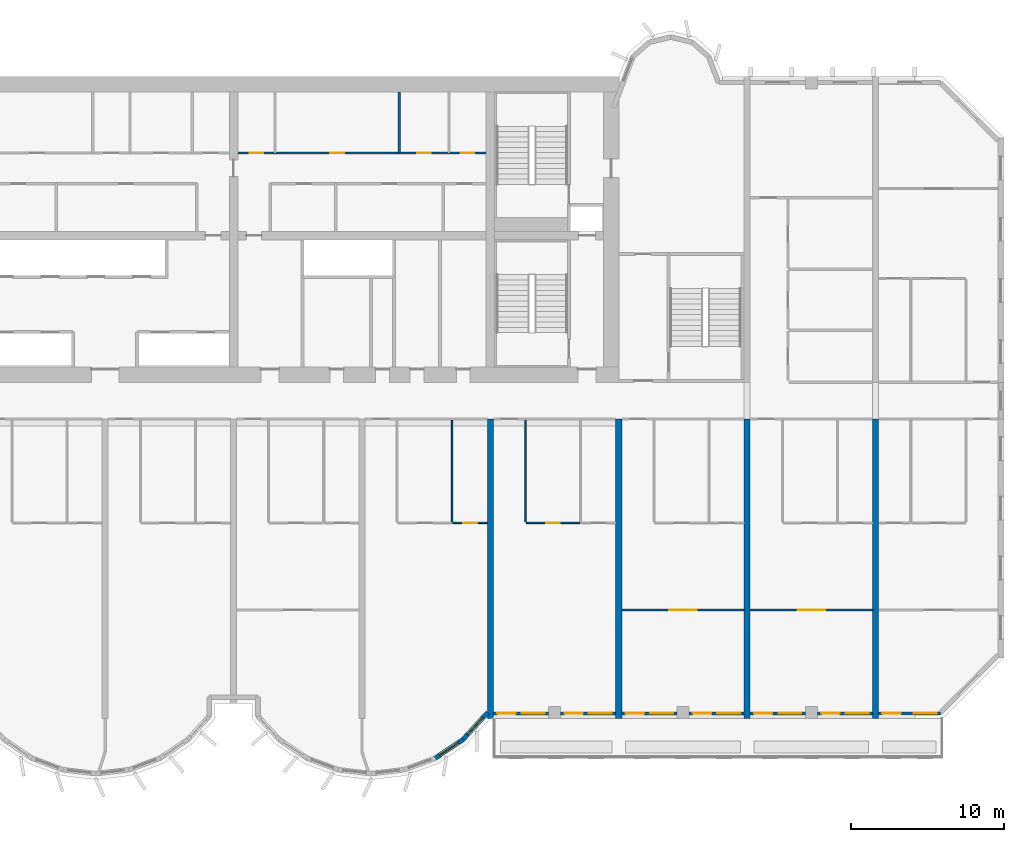
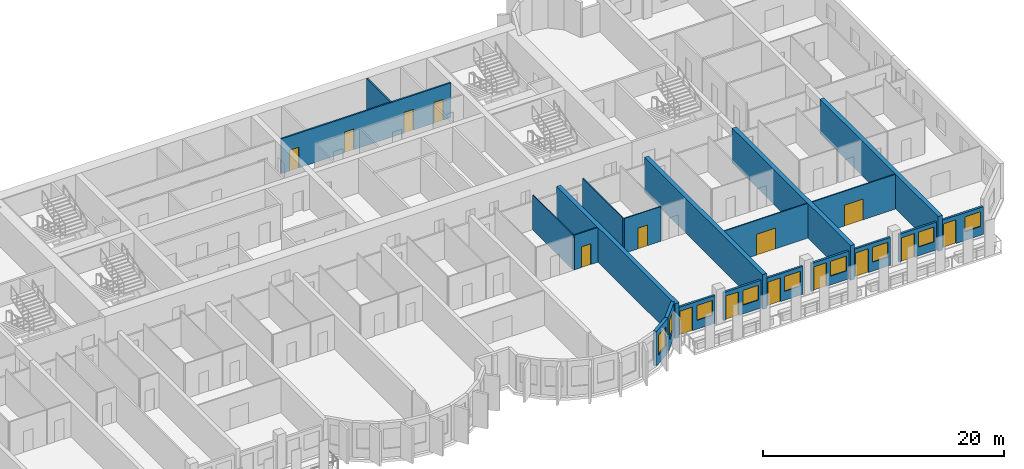
# One storey, part 8 of 15: 21 walls, 15 doors, 9 windows, 24 openings.
"""IFC4 building model written with IfcOpenShell, lengths in metres."""

from ifc_helpers import new_model, si_unit, direction, frame, frame_2d, origin, place, context, subcontext, project, spatial, rectangle, extrude, source, transform, mapped, material, layer, layer_set, type_object, element, fill, save


model = new_model("IFC4")

# Units and contexts
model_context = context("Model", 3, precision=1e-05, world=origin(), true_north=direction((0.0, 1.0)))
body_context = subcontext(model_context, "Body", "Model", "MODEL_VIEW")
ifc_project = project(units=[si_unit("LENGTHUNIT", "METRE"), si_unit("AREAUNIT", "SQUARE_METRE"), si_unit("VOLUMEUNIT", "CUBIC_METRE"), si_unit("PLANEANGLEUNIT", "RADIAN"), si_unit("MASSUNIT", "GRAM", prefix="KILO")], contexts=[model_context])

# Site, building, storey
site_placement = place(None, origin())
site = spatial("IfcSite", under=ifc_project, at=site_placement, CompositionType="ELEMENT")
building_placement = place(site_placement, origin())
building = spatial("IfcBuilding", under=site, at=building_placement, Name="Vanashikhar Sky Hotel", CompositionType="ELEMENT")
storey_placement = place(building_placement, frame((0.0, 0.0, 65.800048828125)))
storey = spatial("IfcBuildingStorey", under=building, at=storey_placement, Name="L15", CompositionType="ELEMENT", Elevation=65.800048828125)

# Walls
ifc_material_1 = material(Name="Concrete M80", Category="concrete")
ifc_layer_1 = layer(ifc_material_1, 0.39990234375)
ifc_layer_set_1 = layer_set([ifc_layer_1], Name="RC shear wall 400 Concrete M80")
wall_type_1 = type_object("IfcWallType", Name="RC shear wall 400 Concrete M80", PredefinedType="SHEAR", material=ifc_layer_set_1)
shared_shape_1 = source(origin(), body_context, "Body", "SweptSolid", [
    extrude(rectangle(XDim=19.60009765625, YDim=0.39990234375, at=frame_2d((9.800048828125, 0.0))), origin(), (0.0, 0.0, 1.0), 3.52001953125),
])
for number, where, z_axis, x_axis, name in (
    (1, (67.199951171875, 0.0, 0.0), (0.0, 0.0, 1.0), (0.0, 1.0, 0.0), "CW-L15-XW09-1"),
    (2, (75.60009765625, 0.0, 0.0), (0.0, 0.0, 1.0), (0.0, 1.0, 0.0), "CW-L15-XW10-1"),
    (3, (84.0, 0.0, 0.0), (0.0, 0.0, 1.0), (0.0, 1.0, 0.0), "CW-L15-XW11-1"),
    (4, (92.39990234375, 0.0, 0.0), (0.0, 0.0, 1.0), (0.0, 1.0, 0.0), "CW-L15-XW12-1"),
):
    element("IfcWall", number, at=place(storey_placement, frame(where, z_axis=z_axis, x_axis=x_axis)), inside=storey, type_object=wall_type_1, Name=name, PredefinedType="SHEAR", context=body_context, shape_type="MappedRepresentation", body=[
        mapped(shared_shape_1, transform((0.0, 0.0, 0.0), scale=1.0)),
    ])

# Wall, opening, window
ifc_material_2 = material(Name="Concrete M50", Category="concrete")
ifc_layer_2 = layer(ifc_material_2, 0.300048828125)
ifc_layer_set_2 = layer_set([ifc_layer_2], Name="Lobe wall 300")
wall_type_2 = type_object("IfcWallType", Name="Lobe wall 300", PredefinedType="SOLIDWALL", material=ifc_layer_set_2)
shared_shape_2 = source(origin(), body_context, "Body", "SweptSolid", [
    extrude(rectangle(XDim=2.398193359375, YDim=0.300048828125, at=frame_2d((1.19921875, 0.0))), origin(), (0.0, 0.0, 1.0), 3.52001953125),
])
wall_1_placement = place(storey_placement, frame((65.404296875, -1.36865234375, 0.0), z_axis=(0.0, 0.0, 1.0), x_axis=(0.675374189419, 0.737475222815, 0.0)))
wall_1 = element("IfcWall", 5, at=wall_1_placement, inside=storey, type_object=wall_type_2, Name="Lobe wall", PredefinedType="SOLIDWALL", context=body_context, shape_type="MappedRepresentation", body=[
    mapped(shared_shape_2, transform((0.0, 0.0, 0.0), scale=1.0)),
])
shared_shape_3 = source(origin(), body_context, "Body", "SweptSolid", [
    extrude(rectangle(XDim=1.5, YDim=2.0, at=frame_2d((0.75, 1.0))), frame((0.0, 0.16015625, 0.0), z_axis=(0.0, -1.0, 0.0), x_axis=(1.0, 0.0, 0.0)), (0.0, 0.0, 1.0), 0.320068359375),
])
opening_1_placement = place(wall_1_placement, frame((0.44921875, 0.0, 0.89990234375)))
opening_1 = element("IfcOpeningElement", 6, at=opening_1_placement, cuts=wall_1, Name="Opening WN-2", PredefinedType="OPENING", context=body_context, shape_type="MappedRepresentation", body=[
    mapped(shared_shape_3, transform((0.0, 0.0, 0.0), scale=1.0)),
])
ifc_material_3 = material(Name="Glass", Category="glass")
window_type_1 = type_object("IfcWindowType", Name="Lobe window 1500 x 2000", PartitioningType="SINGLE_PANEL", PredefinedType="WINDOW", material=ifc_material_3)
shared_shape_4 = source(origin(), body_context, "Body", "SweptSolid", [
    extrude(rectangle(XDim=1.5, YDim=2.0, at=frame_2d((0.75, 1.0))), frame((0.0, 0.030029296875, 0.0), z_axis=(0.0, -1.0, 0.0), x_axis=(1.0, 0.0, 0.0)), (0.0, 0.0, 1.0), 0.06005859375),
])
window_1_placement = place(opening_1_placement, origin())
window_1 = element("IfcWindow", 7, at=window_1_placement, inside=storey, type_object=window_type_1, Name="Window WN-2", OverallHeight=2.0, OverallWidth=1.5, PartitioningType="SINGLE_PANEL", PredefinedType="WINDOW", context=body_context, shape_type="MappedRepresentation", body=[
    mapped(shared_shape_4, transform((0.0, 0.0, 0.0), scale=1.0)),
])
fill(opening_1, window_1)

shared_shape_5 = source(origin(), body_context, "Body", "SweptSolid", [
    extrude(rectangle(XDim=2.17578125, YDim=0.300048828125, at=frame_2d((1.087890625, 0.0))), origin(), (0.0, 0.0, 1.0), 3.52001953125),
])
wall_2_placement = place(storey_placement, frame((63.59912109375, -2.58349609375, 0.0), z_axis=(0.0, 0.0, 1.0), x_axis=(0.829625727223, 0.558319937607, 0.0)))
wall_2 = element("IfcWall", 8, at=wall_2_placement, inside=storey, type_object=wall_type_2, Name="Lobe wall", PredefinedType="SOLIDWALL", context=body_context, shape_type="MappedRepresentation", body=[
    mapped(shared_shape_5, transform((0.0, 0.0, 0.0), scale=1.0)),
])
opening_2_placement = place(wall_2_placement, frame((0.337890625, 0.0, 0.89990234375)))
opening_2 = element("IfcOpeningElement", 9, at=opening_2_placement, cuts=wall_2, Name="Opening WN-2", PredefinedType="OPENING", context=body_context, shape_type="MappedRepresentation", body=[
    mapped(shared_shape_3, transform((0.0, 0.0, 0.0), scale=1.0)),
])
window_2_placement = place(opening_2_placement, origin())
window_2 = element("IfcWindow", 10, at=window_2_placement, inside=storey, type_object=window_type_1, Name="Window WN-2", OverallHeight=2.0, OverallWidth=1.5, PartitioningType="SINGLE_PANEL", PredefinedType="WINDOW", context=body_context, shape_type="MappedRepresentation", body=[
    mapped(shared_shape_4, transform((0.0, 0.0, 0.0), scale=1.0)),
])
fill(opening_2, window_2)

# Wall, openings, window, door
ifc_layer_3 = layer(ifc_material_2, 0.199951171875)
ifc_layer_set_3 = layer_set([ifc_layer_3], Name="Front window wall 200")
wall_type_3 = type_object("IfcWallType", Name="Front window wall 200", PredefinedType="SOLIDWALL", material=ifc_layer_set_3)
shared_shape_6 = source(origin(), body_context, "Body", "SweptSolid", [
    extrude(rectangle(XDim=4.054931640625, YDim=0.199951171875, at=frame_2d((2.02734375, 0.0))), origin(), (0.0, 0.0, 1.0), 2.820068359375),
])
wall_3_placement = place(storey_placement, frame((92.60009765625, 0.35009765625, 0.0), z_axis=(0.0, 0.0, 1.0), x_axis=(1.0, 0.0, 0.0)))
wall_3 = element("IfcWall", 11, at=wall_3_placement, inside=storey, type_object=wall_type_3, Name="Front window wall", PredefinedType="SOLIDWALL", context=body_context, shape_type="MappedRepresentation", body=[
    mapped(shared_shape_6, transform((0.0, 0.0, 0.0), scale=1.0)),
])
shared_shape_7 = source(origin(), body_context, "Body", "SweptSolid", [
    extrude(rectangle(XDim=1.199951171875, YDim=2.39990234375, at=frame_2d((0.60009765625, 1.199951171875))), frame((0.0, 0.10986328125, 0.0), z_axis=(0.0, -1.0, 0.0), x_axis=(1.0, 0.0, 0.0)), (0.0, 0.0, 1.0), 0.219970703125),
])
opening_3_placement = place(wall_3_placement, frame((0.25, 0.0, 0.0)))
opening_3 = element("IfcOpeningElement", 12, at=opening_3_placement, cuts=wall_3, Name="Opening BD-14", PredefinedType="OPENING", context=body_context, shape_type="MappedRepresentation", body=[
    mapped(shared_shape_7, transform((0.0, 0.0, 0.0), scale=1.0)),
])
shared_shape_8 = source(origin(), body_context, "Body", "SweptSolid", [
    extrude(rectangle(XDim=1.5, YDim=1.5, at=frame_2d((0.75, 0.75))), frame((0.0, 0.10986328125, 0.0), z_axis=(0.0, -1.0, 0.0), x_axis=(1.0, 0.0, 0.0)), (0.0, 0.0, 1.0), 0.219970703125),
])
opening_4_placement = place(wall_3_placement, frame((2.304931640625, 0.0, 0.89990234375)))
opening_4 = element("IfcOpeningElement", 13, at=opening_4_placement, cuts=wall_3, Name="Opening WN-1", PredefinedType="OPENING", context=body_context, shape_type="MappedRepresentation", body=[
    mapped(shared_shape_8, transform((0.0, 0.0, 0.0), scale=1.0)),
])
window_type_2 = type_object("IfcWindowType", Name="Window 1500 x 1500", PartitioningType="SINGLE_PANEL", PredefinedType="WINDOW", material=ifc_material_3)
shared_shape_9 = source(origin(), body_context, "Body", "SweptSolid", [
    extrude(rectangle(XDim=1.5, YDim=1.5, at=frame_2d((0.75, 0.75))), frame((0.0, 0.030029296875, 0.0), z_axis=(0.0, -1.0, 0.0), x_axis=(1.0, 0.0, 0.0)), (0.0, 0.0, 1.0), 0.06005859375),
])
window_3_placement = place(opening_4_placement, origin())
window_3 = element("IfcWindow", 14, at=window_3_placement, inside=storey, type_object=window_type_2, Name="Window WN-1", OverallHeight=1.5, OverallWidth=1.5, PartitioningType="SINGLE_PANEL", PredefinedType="WINDOW", context=body_context, shape_type="MappedRepresentation", body=[
    mapped(shared_shape_9, transform((0.0, 0.0, 0.0), scale=1.0)),
])
fill(opening_4, window_3)
ifc_material_4 = material(Name="Aluminium", Category="aluminium")
door_type_1 = type_object("IfcDoorType", Name="Balcony sliding door 1200 x 2400", OperationType="NOTDEFINED", PredefinedType="DOOR", material=ifc_material_4)
shared_shape_10 = source(origin(), body_context, "Body", "SweptSolid", [
    extrude(rectangle(XDim=1.199951171875, YDim=2.39990234375, at=frame_2d((0.60009765625, 1.199951171875))), frame((0.0, 0.02490234375, 0.0), z_axis=(0.0, -1.0, 0.0), x_axis=(1.0, 0.0, 0.0)), (0.0, 0.0, 1.0), 0.050048828125),
])
door_1_placement = place(opening_3_placement, origin())
door_1 = element("IfcDoor", 15, at=door_1_placement, inside=storey, type_object=door_type_1, Name="Balcony sliding door", OperationType="SLIDING_TO_RIGHT", OverallHeight=2.39990234375, OverallWidth=1.199951171875, PredefinedType="DOOR", context=body_context, shape_type="MappedRepresentation", body=[
    mapped(shared_shape_10, transform((0.0, 0.0, 0.0), scale=1.0)),
])
fill(opening_3, door_1)

shared_shape_11 = source(origin(), body_context, "Body", "SweptSolid", [
    extrude(rectangle(XDim=3.599853515625, YDim=0.199951171875, at=frame_2d((1.7998046875, 0.0))), origin(), (0.0, 0.0, 1.0), 2.820068359375),
])
wall_4_placement = place(storey_placement, frame((71.800048828125, 0.35009765625, 0.0), z_axis=(0.0, 0.0, 1.0), x_axis=(1.0, 0.0, 0.0)))
wall_4 = element("IfcWall", 16, at=wall_4_placement, inside=storey, type_object=wall_type_3, Name="Front window wall", PredefinedType="SOLIDWALL", context=body_context, shape_type="MappedRepresentation", body=[
    mapped(shared_shape_11, transform((0.0, 0.0, 0.0), scale=1.0)),
])
opening_5_placement = place(wall_4_placement, frame((0.25, 0.0, 0.0)))
opening_5 = element("IfcOpeningElement", 17, at=opening_5_placement, cuts=wall_4, Name="Opening BD-09", PredefinedType="OPENING", context=body_context, shape_type="MappedRepresentation", body=[
    mapped(shared_shape_7, transform((0.0, 0.0, 0.0), scale=1.0)),
])
opening_6_placement = place(wall_4_placement, frame((1.85009765625, 0.0, 0.89990234375)))
opening_6 = element("IfcOpeningElement", 18, at=opening_6_placement, cuts=wall_4, Name="Opening WN-1", PredefinedType="OPENING", context=body_context, shape_type="MappedRepresentation", body=[
    mapped(shared_shape_8, transform((0.0, 0.0, 0.0), scale=1.0)),
])
window_4_placement = place(opening_6_placement, origin())
window_4 = element("IfcWindow", 19, at=window_4_placement, inside=storey, type_object=window_type_2, Name="Window WN-1", OverallHeight=1.5, OverallWidth=1.5, PartitioningType="SINGLE_PANEL", PredefinedType="WINDOW", context=body_context, shape_type="MappedRepresentation", body=[
    mapped(shared_shape_9, transform((0.0, 0.0, 0.0), scale=1.0)),
])
fill(opening_6, window_4)
door_2_placement = place(opening_5_placement, origin())
door_2 = element("IfcDoor", 20, at=door_2_placement, inside=storey, type_object=door_type_1, Name="Balcony sliding door", OperationType="SLIDING_TO_LEFT", OverallHeight=2.39990234375, OverallWidth=1.199951171875, PredefinedType="DOOR", context=body_context, shape_type="MappedRepresentation", body=[
    mapped(shared_shape_10, transform((0.0, 0.0, 0.0), scale=1.0)),
])
fill(opening_5, door_2)

wall_5_placement = place(storey_placement, frame((75.800048828125, 0.35009765625, 0.0), z_axis=(0.0, 0.0, 1.0), x_axis=(1.0, 0.0, 0.0)))
wall_5 = element("IfcWall", 21, at=wall_5_placement, inside=storey, type_object=wall_type_3, Name="Front window wall", PredefinedType="SOLIDWALL", context=body_context, shape_type="MappedRepresentation", body=[
    mapped(shared_shape_11, transform((0.0, 0.0, 0.0), scale=1.0)),
])
opening_7_placement = place(wall_5_placement, frame((0.25, 0.0, 0.0)))
opening_7 = element("IfcOpeningElement", 22, at=opening_7_placement, cuts=wall_5, Name="Opening BD-10", PredefinedType="OPENING", context=body_context, shape_type="MappedRepresentation", body=[
    mapped(shared_shape_7, transform((0.0, 0.0, 0.0), scale=1.0)),
])
opening_8_placement = place(wall_5_placement, frame((1.85009765625, 0.0, 0.89990234375)))
opening_8 = element("IfcOpeningElement", 23, at=opening_8_placement, cuts=wall_5, Name="Opening WN-1", PredefinedType="OPENING", context=body_context, shape_type="MappedRepresentation", body=[
    mapped(shared_shape_8, transform((0.0, 0.0, 0.0), scale=1.0)),
])
window_5_placement = place(opening_8_placement, origin())
window_5 = element("IfcWindow", 24, at=window_5_placement, inside=storey, type_object=window_type_2, Name="Window WN-1", OverallHeight=1.5, OverallWidth=1.5, PartitioningType="SINGLE_PANEL", PredefinedType="WINDOW", context=body_context, shape_type="MappedRepresentation", body=[
    mapped(shared_shape_9, transform((0.0, 0.0, 0.0), scale=1.0)),
])
fill(opening_8, window_5)
door_3_placement = place(opening_7_placement, origin())
door_3 = element("IfcDoor", 25, at=door_3_placement, inside=storey, type_object=door_type_1, Name="Balcony sliding door", OperationType="SLIDING_TO_RIGHT", OverallHeight=2.39990234375, OverallWidth=1.199951171875, PredefinedType="DOOR", context=body_context, shape_type="MappedRepresentation", body=[
    mapped(shared_shape_10, transform((0.0, 0.0, 0.0), scale=1.0)),
])
fill(opening_7, door_3)

wall_6_placement = place(storey_placement, frame((88.60009765625, 0.35009765625, 0.0), z_axis=(0.0, 0.0, 1.0), x_axis=(1.0, 0.0, 0.0)))
wall_6 = element("IfcWall", 26, at=wall_6_placement, inside=storey, type_object=wall_type_3, Name="Front window wall", PredefinedType="SOLIDWALL", context=body_context, shape_type="MappedRepresentation", body=[
    mapped(shared_shape_11, transform((0.0, 0.0, 0.0), scale=1.0)),
])
opening_9_placement = place(wall_6_placement, frame((0.25, 0.0, 0.0)))
opening_9 = element("IfcOpeningElement", 27, at=opening_9_placement, cuts=wall_6, Name="Opening BD-13", PredefinedType="OPENING", context=body_context, shape_type="MappedRepresentation", body=[
    mapped(shared_shape_7, transform((0.0, 0.0, 0.0), scale=1.0)),
])
opening_10_placement = place(wall_6_placement, frame((1.85009765625, 0.0, 0.89990234375)))
opening_10 = element("IfcOpeningElement", 28, at=opening_10_placement, cuts=wall_6, Name="Opening WN-1", PredefinedType="OPENING", context=body_context, shape_type="MappedRepresentation", body=[
    mapped(shared_shape_8, transform((0.0, 0.0, 0.0), scale=1.0)),
])
window_6_placement = place(opening_10_placement, origin())
window_6 = element("IfcWindow", 29, at=window_6_placement, inside=storey, type_object=window_type_2, Name="Window WN-1", OverallHeight=1.5, OverallWidth=1.5, PartitioningType="SINGLE_PANEL", PredefinedType="WINDOW", context=body_context, shape_type="MappedRepresentation", body=[
    mapped(shared_shape_9, transform((0.0, 0.0, 0.0), scale=1.0)),
])
fill(opening_10, window_6)
door_4_placement = place(opening_9_placement, origin())
door_4 = element("IfcDoor", 30, at=door_4_placement, inside=storey, type_object=door_type_1, Name="Balcony sliding door", OperationType="SLIDING_TO_LEFT", OverallHeight=2.39990234375, OverallWidth=1.199951171875, PredefinedType="DOOR", context=body_context, shape_type="MappedRepresentation", body=[
    mapped(shared_shape_10, transform((0.0, 0.0, 0.0), scale=1.0)),
])
fill(opening_9, door_4)

shared_shape_12 = source(origin(), body_context, "Body", "SweptSolid", [
    extrude(rectangle(XDim=3.60009765625, YDim=0.199951171875, at=frame_2d((1.800048828125, 0.0))), origin(), (0.0, 0.0, 1.0), 2.820068359375),
])
wall_7_placement = place(storey_placement, frame((67.39990234375, 0.35009765625, 0.0), z_axis=(0.0, 0.0, 1.0), x_axis=(1.0, 0.0, 0.0)))
wall_7 = element("IfcWall", 31, at=wall_7_placement, inside=storey, type_object=wall_type_3, Name="Front window wall", PredefinedType="SOLIDWALL", context=body_context, shape_type="MappedRepresentation", body=[
    mapped(shared_shape_12, transform((0.0, 0.0, 0.0), scale=1.0)),
])
opening_11_placement = place(wall_7_placement, frame((0.25, 0.0, 0.0)))
opening_11 = element("IfcOpeningElement", 32, at=opening_11_placement, cuts=wall_7, Name="Opening BD-08", PredefinedType="OPENING", context=body_context, shape_type="MappedRepresentation", body=[
    mapped(shared_shape_7, transform((0.0, 0.0, 0.0), scale=1.0)),
])
opening_12_placement = place(wall_7_placement, frame((1.85009765625, 0.0, 0.89990234375)))
opening_12 = element("IfcOpeningElement", 33, at=opening_12_placement, cuts=wall_7, Name="Opening WN-1", PredefinedType="OPENING", context=body_context, shape_type="MappedRepresentation", body=[
    mapped(shared_shape_8, transform((0.0, 0.0, 0.0), scale=1.0)),
])
window_7_placement = place(opening_12_placement, origin())
window_7 = element("IfcWindow", 34, at=window_7_placement, inside=storey, type_object=window_type_2, Name="Window WN-1", OverallHeight=1.5, OverallWidth=1.5, PartitioningType="SINGLE_PANEL", PredefinedType="WINDOW", context=body_context, shape_type="MappedRepresentation", body=[
    mapped(shared_shape_9, transform((0.0, 0.0, 0.0), scale=1.0)),
])
fill(opening_12, window_7)
door_5_placement = place(opening_11_placement, origin())
door_5 = element("IfcDoor", 35, at=door_5_placement, inside=storey, type_object=door_type_1, Name="Balcony sliding door", OperationType="SLIDING_TO_RIGHT", OverallHeight=2.39990234375, OverallWidth=1.199951171875, PredefinedType="DOOR", context=body_context, shape_type="MappedRepresentation", body=[
    mapped(shared_shape_10, transform((0.0, 0.0, 0.0), scale=1.0)),
])
fill(opening_11, door_5)

wall_8_placement = place(storey_placement, frame((80.199951171875, 0.35009765625, 0.0), z_axis=(0.0, 0.0, 1.0), x_axis=(1.0, 0.0, 0.0)))
wall_8 = element("IfcWall", 36, at=wall_8_placement, inside=storey, type_object=wall_type_3, Name="Front window wall", PredefinedType="SOLIDWALL", context=body_context, shape_type="MappedRepresentation", body=[
    mapped(shared_shape_12, transform((0.0, 0.0, 0.0), scale=1.0)),
])
opening_13_placement = place(wall_8_placement, frame((0.25, 0.0, 0.0)))
opening_13 = element("IfcOpeningElement", 37, at=opening_13_placement, cuts=wall_8, Name="Opening BD-11", PredefinedType="OPENING", context=body_context, shape_type="MappedRepresentation", body=[
    mapped(shared_shape_7, transform((0.0, 0.0, 0.0), scale=1.0)),
])
opening_14_placement = place(wall_8_placement, frame((1.85009765625, 0.0, 0.89990234375)))
opening_14 = element("IfcOpeningElement", 38, at=opening_14_placement, cuts=wall_8, Name="Opening WN-1", PredefinedType="OPENING", context=body_context, shape_type="MappedRepresentation", body=[
    mapped(shared_shape_8, transform((0.0, 0.0, 0.0), scale=1.0)),
])
window_8_placement = place(opening_14_placement, origin())
window_8 = element("IfcWindow", 39, at=window_8_placement, inside=storey, type_object=window_type_2, Name="Window WN-1", OverallHeight=1.5, OverallWidth=1.5, PartitioningType="SINGLE_PANEL", PredefinedType="WINDOW", context=body_context, shape_type="MappedRepresentation", body=[
    mapped(shared_shape_9, transform((0.0, 0.0, 0.0), scale=1.0)),
])
fill(opening_14, window_8)
door_6_placement = place(opening_13_placement, origin())
door_6 = element("IfcDoor", 40, at=door_6_placement, inside=storey, type_object=door_type_1, Name="Balcony sliding door", OperationType="SLIDING_TO_LEFT", OverallHeight=2.39990234375, OverallWidth=1.199951171875, PredefinedType="DOOR", context=body_context, shape_type="MappedRepresentation", body=[
    mapped(shared_shape_10, transform((0.0, 0.0, 0.0), scale=1.0)),
])
fill(opening_13, door_6)

wall_9_placement = place(storey_placement, frame((84.199951171875, 0.35009765625, 0.0), z_axis=(0.0, 0.0, 1.0), x_axis=(1.0, 0.0, 0.0)))
wall_9 = element("IfcWall", 41, at=wall_9_placement, inside=storey, type_object=wall_type_3, Name="Front window wall", PredefinedType="SOLIDWALL", context=body_context, shape_type="MappedRepresentation", body=[
    mapped(shared_shape_12, transform((0.0, 0.0, 0.0), scale=1.0)),
])
opening_15_placement = place(wall_9_placement, frame((0.25, 0.0, 0.0)))
opening_15 = element("IfcOpeningElement", 42, at=opening_15_placement, cuts=wall_9, Name="Opening BD-12", PredefinedType="OPENING", context=body_context, shape_type="MappedRepresentation", body=[
    mapped(shared_shape_7, transform((0.0, 0.0, 0.0), scale=1.0)),
])
opening_16_placement = place(wall_9_placement, frame((1.85009765625, 0.0, 0.89990234375)))
opening_16 = element("IfcOpeningElement", 43, at=opening_16_placement, cuts=wall_9, Name="Opening WN-1", PredefinedType="OPENING", context=body_context, shape_type="MappedRepresentation", body=[
    mapped(shared_shape_8, transform((0.0, 0.0, 0.0), scale=1.0)),
])
window_9_placement = place(opening_16_placement, origin())
window_9 = element("IfcWindow", 44, at=window_9_placement, inside=storey, type_object=window_type_2, Name="Window WN-1", OverallHeight=1.5, OverallWidth=1.5, PartitioningType="SINGLE_PANEL", PredefinedType="WINDOW", context=body_context, shape_type="MappedRepresentation", body=[
    mapped(shared_shape_9, transform((0.0, 0.0, 0.0), scale=1.0)),
])
fill(opening_16, window_9)
door_7_placement = place(opening_15_placement, origin())
door_7 = element("IfcDoor", 45, at=door_7_placement, inside=storey, type_object=door_type_1, Name="Balcony sliding door", OperationType="SLIDING_TO_RIGHT", OverallHeight=2.39990234375, OverallWidth=1.199951171875, PredefinedType="DOOR", context=body_context, shape_type="MappedRepresentation", body=[
    mapped(shared_shape_10, transform((0.0, 0.0, 0.0), scale=1.0)),
])
fill(opening_15, door_7)

# Wall, openings, doors
ifc_material_5 = material(Name="Gypsum board partition")
ifc_layer_4 = layer(ifc_material_5, 0.14990234375)
ifc_layer_set_4 = layer_set([ifc_layer_4], Name="Service partition 150")
wall_type_4 = type_object("IfcWallType", Name="Service partition 150", PredefinedType="PARTITIONING", material=ifc_layer_set_4)
shared_shape_13 = source(origin(), body_context, "Body", "SweptSolid", [
    extrude(rectangle(XDim=16.25, YDim=0.14990234375, at=frame_2d((8.125, 0.0))), origin(), (0.0, 0.0, 1.0), 3.52001953125),
])
wall_10_placement = place(storey_placement, frame((66.925048828125, 37.0, 0.0), z_axis=(0.0, 0.0, 1.0), x_axis=(-1.0, 0.0, 0.0)))
wall_10 = element("IfcWall", 46, at=wall_10_placement, inside=storey, type_object=wall_type_4, Name="Service partition 150", PredefinedType="PARTITIONING", context=body_context, shape_type="MappedRepresentation", body=[
    mapped(shared_shape_13, transform((0.0, 0.0, 0.0), scale=1.0)),
])
shared_shape_14 = source(origin(), body_context, "Body", "SweptSolid", [
    extrude(rectangle(XDim=0.89990234375, YDim=2.10009765625, at=frame_2d((0.449951171875, 1.050048828125))), frame((0.0, 0.0849609375, 0.0), z_axis=(0.0, -1.0, 0.0), x_axis=(1.0, 0.0, 0.0)), (0.0, 0.0, 1.0), 0.169921875),
])
opening_17_placement = place(wall_10_placement, frame((0.76904296875, 0.0, 0.0)))
opening_17 = element("IfcOpeningElement", 47, at=opening_17_placement, cuts=wall_10, Name="Opening DC-4-A", PredefinedType="OPENING", context=body_context, shape_type="MappedRepresentation", body=[
    mapped(shared_shape_14, transform((0.0, 0.0, 0.0), scale=1.0)),
])
opening_18_placement = place(wall_10_placement, frame((3.613037109375, 0.0, 0.0)))
opening_18 = element("IfcOpeningElement", 48, at=opening_18_placement, cuts=wall_10, Name="Opening DC-4-A", PredefinedType="OPENING", context=body_context, shape_type="MappedRepresentation", body=[
    mapped(shared_shape_14, transform((0.0, 0.0, 0.0), scale=1.0)),
])
opening_19_placement = place(wall_10_placement, frame((9.300048828125, 0.0, 0.0)))
opening_19 = element("IfcOpeningElement", 49, at=opening_19_placement, cuts=wall_10, Name="Opening DC-4-A", PredefinedType="OPENING", context=body_context, shape_type="MappedRepresentation", body=[
    mapped(shared_shape_14, transform((0.0, 0.0, 0.0), scale=1.0)),
])
opening_20_placement = place(wall_10_placement, frame((14.5810546875, 0.0, 0.0)))
opening_20 = element("IfcOpeningElement", 50, at=opening_20_placement, cuts=wall_10, Name="Opening DC-4-A", PredefinedType="OPENING", context=body_context, shape_type="MappedRepresentation", body=[
    mapped(shared_shape_14, transform((0.0, 0.0, 0.0), scale=1.0)),
])
ifc_material_6 = material(Name="Steel", Category="steel")
door_type_2 = type_object("IfcDoorType", Name="Service door 900 FD60", OperationType="NOTDEFINED", PredefinedType="DOOR", material=ifc_material_6)
shared_shape_15 = source(origin(), body_context, "Body", "SweptSolid", [
    extrude(rectangle(XDim=0.89990234375, YDim=2.10009765625, at=frame_2d((0.449951171875, 1.050048828125))), frame((0.0, 0.02490234375, 0.0), z_axis=(0.0, -1.0, 0.0), x_axis=(1.0, 0.0, 0.0)), (0.0, 0.0, 1.0), 0.050048828125),
])
door_8_placement = place(opening_17_placement, origin())
door_8 = element("IfcDoor", 51, at=door_8_placement, inside=storey, type_object=door_type_2, Name="Service door 900 FD60", OperationType="SINGLE_SWING_LEFT", OverallHeight=2.10009765625, OverallWidth=0.89990234375, PredefinedType="DOOR", context=body_context, shape_type="MappedRepresentation", body=[
    mapped(shared_shape_15, transform((0.0, 0.0, 0.0), scale=1.0)),
])
fill(opening_17, door_8)
door_9_placement = place(opening_18_placement, origin())
door_9 = element("IfcDoor", 52, at=door_9_placement, inside=storey, type_object=door_type_2, Name="Service door 900 FD60", OperationType="SINGLE_SWING_RIGHT", OverallHeight=2.10009765625, OverallWidth=0.89990234375, PredefinedType="DOOR", context=body_context, shape_type="MappedRepresentation", body=[
    mapped(shared_shape_15, transform((0.0, 0.0, 0.0), scale=1.0)),
])
fill(opening_18, door_9)
door_10_placement = place(opening_19_placement, origin())
door_10 = element("IfcDoor", 53, at=door_10_placement, inside=storey, type_object=door_type_2, Name="Service door 900 FD60", OperationType="SINGLE_SWING_RIGHT", OverallHeight=2.10009765625, OverallWidth=0.89990234375, PredefinedType="DOOR", context=body_context, shape_type="MappedRepresentation", body=[
    mapped(shared_shape_15, transform((0.0, 0.0, 0.0), scale=1.0)),
])
fill(opening_19, door_10)
door_11_placement = place(opening_20_placement, origin())
door_11 = element("IfcDoor", 54, at=door_11_placement, inside=storey, type_object=door_type_2, Name="Service door 900 FD60", OperationType="SINGLE_SWING_RIGHT", OverallHeight=2.10009765625, OverallWidth=0.89990234375, PredefinedType="DOOR", context=body_context, shape_type="MappedRepresentation", body=[
    mapped(shared_shape_15, transform((0.0, 0.0, 0.0), scale=1.0)),
])
fill(opening_20, door_11)

# Wall
shared_shape_16 = source(origin(), body_context, "Body", "SweptSolid", [
    extrude(rectangle(XDim=4.0, YDim=0.14990234375, at=frame_2d((2.0, 0.0))), origin(), (0.0, 0.0, 1.0), 3.52001953125),
])
wall_11_placement = place(storey_placement, frame((61.237060546875, 37.0, 0.0), z_axis=(0.0, 0.0, 1.0), x_axis=(0.0, 1.0, 0.0)))
element("IfcWall", 55, at=wall_11_placement, inside=storey, type_object=wall_type_4, Name="Service partition 150", PredefinedType="PARTITIONING", context=body_context, shape_type="MappedRepresentation", body=[
    mapped(shared_shape_16, transform((0.0, 0.0, 0.0), scale=1.0)),
])

# Wall, opening, door
ifc_material_7 = material(Name="Gypsum plasterboard partition")
ifc_layer_5 = layer(ifc_material_7, 0.10009765625)
ifc_layer_set_5 = layer_set([ifc_layer_5], Name="Wet room partition 100")
wall_type_5 = type_object("IfcWallType", Name="Wet room partition 100", PredefinedType="PARTITIONING", material=ifc_layer_set_5)
shared_shape_17 = source(origin(), body_context, "Body", "SweptSolid", [
    extrude(rectangle(XDim=3.5, YDim=0.10009765625, at=frame_2d((1.75, 0.0))), origin(), (0.0, 0.0, 1.0), 3.52001953125),
])
wall_12_placement = place(storey_placement, frame((69.550048828125, 12.800048828125, 0.0), z_axis=(0.0, 0.0, 1.0), x_axis=(1.0, 0.0, 0.0)))
wall_12 = element("IfcWall", 56, at=wall_12_placement, inside=storey, type_object=wall_type_5, Name="W-L15-PW047", PredefinedType="PARTITIONING", context=body_context, shape_type="MappedRepresentation", body=[
    mapped(shared_shape_17, transform((0.0, 0.0, 0.0), scale=1.0)),
])
shared_shape_18 = source(origin(), body_context, "Body", "SweptSolid", [
    extrude(rectangle(XDim=0.89990234375, YDim=2.10009765625, at=frame_2d((0.449951171875, 1.050048828125))), frame((0.0, 0.06005859375, 0.0), z_axis=(0.0, -1.0, 0.0), x_axis=(1.0, 0.0, 0.0)), (0.0, 0.0, 1.0), 0.1201171875),
])
opening_21_placement = place(wall_12_placement, frame((1.300048828125, 0.0, 0.0)))
opening_21 = element("IfcOpeningElement", 57, at=opening_21_placement, cuts=wall_12, Name="Opening D-02", PredefinedType="OPENING", context=body_context, shape_type="MappedRepresentation", body=[
    mapped(shared_shape_18, transform((0.0, 0.0, 0.0), scale=1.0)),
])
ifc_material_8 = material(Name="Timber door", Category="wood")
door_type_3 = type_object("IfcDoorType", Name="Internal door 900", OperationType="NOTDEFINED", PredefinedType="DOOR", material=ifc_material_8)
door_12_placement = place(opening_21_placement, origin())
door_12 = element("IfcDoor", 58, at=door_12_placement, inside=storey, type_object=door_type_3, Name="D-L15-028", OperationType="SINGLE_SWING_LEFT", OverallHeight=2.10009765625, OverallWidth=0.89990234375, PredefinedType="DOOR", context=body_context, shape_type="MappedRepresentation", body=[
    mapped(shared_shape_15, transform((0.0, 0.0, 0.0), scale=1.0)),
])
fill(opening_21, door_12)

shared_shape_19 = source(origin(), body_context, "Body", "SweptSolid", [
    extrude(rectangle(XDim=8.0, YDim=0.10009765625, at=frame_2d((4.0, 0.0))), origin(), (0.0, 0.0, 1.0), 3.52001953125),
])
wall_13_placement = place(storey_placement, frame((75.800048828125, 7.10791015625, 0.0), z_axis=(0.0, 0.0, 1.0), x_axis=(1.0, 0.0, 0.0)))
wall_13 = element("IfcWall", 59, at=wall_13_placement, inside=storey, type_object=wall_type_5, Name="W-L15-PW054", PredefinedType="PARTITIONING", context=body_context, shape_type="MappedRepresentation", body=[
    mapped(shared_shape_19, transform((0.0, 0.0, 0.0), scale=1.0)),
])
shared_shape_20 = source(origin(), body_context, "Body", "SweptSolid", [
    extrude(rectangle(XDim=1.800048828125, YDim=2.10009765625, at=frame_2d((0.89990234375, 1.050048828125))), frame((0.0, 0.06005859375, 0.0), z_axis=(0.0, -1.0, 0.0), x_axis=(1.0, 0.0, 0.0)), (0.0, 0.0, 1.0), 0.1201171875),
])
opening_22_placement = place(wall_13_placement, frame((3.10009765625, 0.0, 0.0)))
opening_22 = element("IfcOpeningElement", 60, at=opening_22_placement, cuts=wall_13, Name="Opening D-08", PredefinedType="OPENING", context=body_context, shape_type="MappedRepresentation", body=[
    mapped(shared_shape_20, transform((0.0, 0.0, 0.0), scale=1.0)),
])
door_type_4 = type_object("IfcDoorType", Name="Double leaf door 1800", OperationType="NOTDEFINED", PredefinedType="DOOR", material=ifc_material_8)
shared_shape_21 = source(origin(), body_context, "Body", "SweptSolid", [
    extrude(rectangle(XDim=1.800048828125, YDim=2.10009765625, at=frame_2d((0.89990234375, 1.050048828125))), frame((0.0, 0.02490234375, 0.0), z_axis=(0.0, -1.0, 0.0), x_axis=(1.0, 0.0, 0.0)), (0.0, 0.0, 1.0), 0.050048828125),
])
door_13_placement = place(opening_22_placement, origin())
door_13 = element("IfcDoor", 61, at=door_13_placement, inside=storey, type_object=door_type_4, Name="D-L15-033", OperationType="DOUBLE_DOOR_SINGLE_SWING", OverallHeight=2.10009765625, OverallWidth=1.800048828125, PredefinedType="DOOR", context=body_context, shape_type="MappedRepresentation", body=[
    mapped(shared_shape_21, transform((0.0, 0.0, 0.0), scale=1.0)),
])
fill(opening_22, door_13)

wall_14_placement = place(storey_placement, frame((84.199951171875, 7.10791015625, 0.0), z_axis=(0.0, 0.0, 1.0), x_axis=(1.0, 0.0, 0.0)))
wall_14 = element("IfcWall", 62, at=wall_14_placement, inside=storey, type_object=wall_type_5, Name="W-L15-PW060", PredefinedType="PARTITIONING", context=body_context, shape_type="MappedRepresentation", body=[
    mapped(shared_shape_19, transform((0.0, 0.0, 0.0), scale=1.0)),
])
opening_23_placement = place(wall_14_placement, frame((3.10009765625, 0.0, 0.0)))
opening_23 = element("IfcOpeningElement", 63, at=opening_23_placement, cuts=wall_14, Name="Opening D-08", PredefinedType="OPENING", context=body_context, shape_type="MappedRepresentation", body=[
    mapped(shared_shape_20, transform((0.0, 0.0, 0.0), scale=1.0)),
])
door_14_placement = place(opening_23_placement, origin())
door_14 = element("IfcDoor", 64, at=door_14_placement, inside=storey, type_object=door_type_4, Name="D-L15-037", OperationType="DOUBLE_DOOR_SINGLE_SWING", OverallHeight=2.10009765625, OverallWidth=1.800048828125, PredefinedType="DOOR", context=body_context, shape_type="MappedRepresentation", body=[
    mapped(shared_shape_21, transform((0.0, 0.0, 0.0), scale=1.0)),
])
fill(opening_23, door_14)

# Walls
shared_shape_22 = source(origin(), body_context, "Body", "SweptSolid", [
    extrude(rectangle(XDim=6.64990234375, YDim=0.10009765625, at=frame_2d((3.324951171875, 0.0))), origin(), (0.0, 0.0, 1.0), 3.52001953125),
])
for number, where, z_axis, x_axis, name in (
    (65, (64.699951171875, 12.875, 0.0), (0.0, 0.0, 1.0), (0.0, 1.0, 0.0), "W-L15-PW041"),
    (66, (69.5, 12.875, 0.0), (0.0, 0.0, 1.0), (0.0, 1.0, 0.0), "W-L15-PW045"),
):
    element("IfcWall", number, at=place(storey_placement, frame(where, z_axis=z_axis, x_axis=x_axis)), inside=storey, type_object=wall_type_5, Name=name, PredefinedType="PARTITIONING", context=body_context, shape_type="MappedRepresentation", body=[
        mapped(shared_shape_22, transform((0.0, 0.0, 0.0), scale=1.0)),
    ])

# Wall, opening, door
shared_shape_23 = source(origin(), body_context, "Body", "SweptSolid", [
    extrude(rectangle(XDim=2.25, YDim=0.10009765625, at=frame_2d((1.125, 0.0))), origin(), (0.0, 0.0, 1.0), 3.52001953125),
])
wall_15_placement = place(storey_placement, frame((64.75, 12.800048828125, 0.0), z_axis=(0.0, 0.0, 1.0), x_axis=(1.0, 0.0, 0.0)))
wall_15 = element("IfcWall", 67, at=wall_15_placement, inside=storey, type_object=wall_type_5, Name="W-L15-PW043", PredefinedType="PARTITIONING", context=body_context, shape_type="MappedRepresentation", body=[
    mapped(shared_shape_23, transform((0.0, 0.0, 0.0), scale=1.0)),
])
opening_24_placement = place(wall_15_placement, frame((0.675048828125, 0.0, 0.0)))
opening_24 = element("IfcOpeningElement", 68, at=opening_24_placement, cuts=wall_15, Name="Opening D-02", PredefinedType="OPENING", context=body_context, shape_type="MappedRepresentation", body=[
    mapped(shared_shape_18, transform((0.0, 0.0, 0.0), scale=1.0)),
])
door_15_placement = place(opening_24_placement, origin())
door_15 = element("IfcDoor", 69, at=door_15_placement, inside=storey, type_object=door_type_3, Name="D-L15-026", OperationType="SINGLE_SWING_LEFT", OverallHeight=2.10009765625, OverallWidth=0.89990234375, PredefinedType="DOOR", context=body_context, shape_type="MappedRepresentation", body=[
    mapped(shared_shape_15, transform((0.0, 0.0, 0.0), scale=1.0)),
])
fill(opening_24, door_15)

save(model, "model.ifc")
